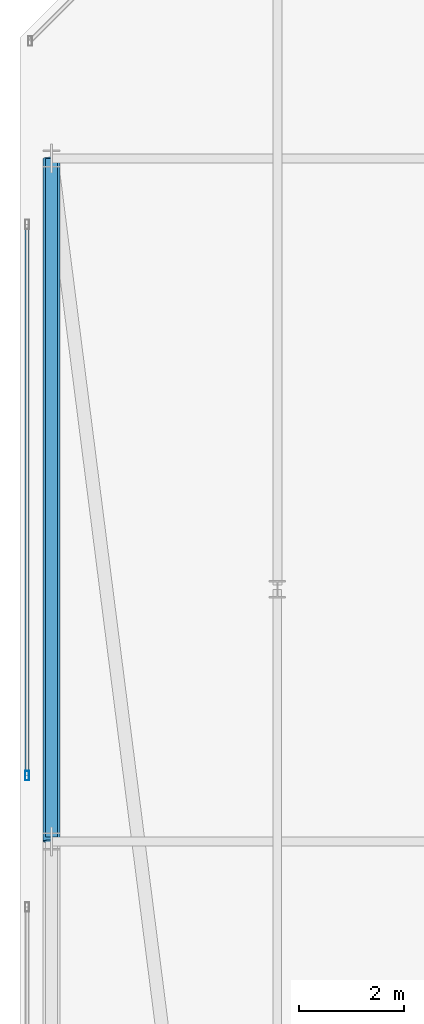
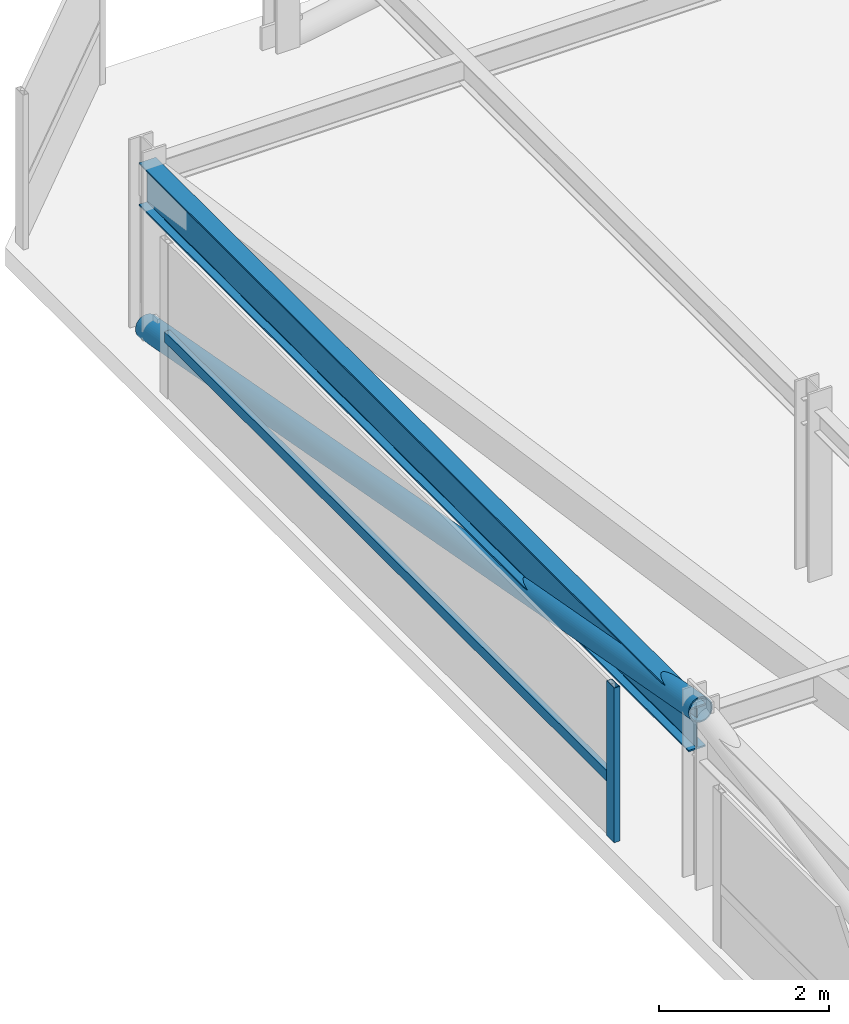
# One storey, part 14 of 42: 3 members, 1 beam, 1 element without a shape of its own.
"""IFC4 building model written with IfcOpenShell, lengths in metres."""

from ifc_helpers import new_model, si_unit, direction, frame, origin, origin_2d, place, context, subcontext, project, spatial, hollow_rectangle, hollow_circle, i_section, extrude, material, material_profile, profile_set, type_object, element, aggregate, save


model = new_model("IFC4")

# Units and contexts
model_context = context("Model", 3, precision=1e-05, world=origin(), true_north=direction((0.0, 1.0)))
body_context = subcontext(model_context, "Body", "Model", "MODEL_VIEW")
ifc_project = project(units=[si_unit("LENGTHUNIT", "METRE"), si_unit("AREAUNIT", "SQUARE_METRE"), si_unit("VOLUMEUNIT", "CUBIC_METRE"), si_unit("PLANEANGLEUNIT", "RADIAN"), si_unit("MASSUNIT", "GRAM", prefix="KILO")], contexts=[model_context])

# Site, building, storey
site_placement = place(None, origin())
site = spatial("IfcSite", under=ifc_project, at=site_placement, CompositionType="ELEMENT")
building_placement = place(site_placement, origin())
building = spatial("IfcBuilding", under=site, at=building_placement, Name="Thornwick Lancets Civic Towers", CompositionType="ELEMENT")
storey_placement = place(building_placement, frame((0.0, 0.0, 284.10009765625)))
storey = spatial("IfcBuildingStorey", under=building, at=storey_placement, Name="C02", CompositionType="ELEMENT", Elevation=284.10009765625)

# Beam
ifc_material_1 = material(Name="Steel S355JR", Category="steel")
ifc_material_profile_1 = material_profile(ifc_material_1, i_section(OverallWidth=0.230224609375, OverallDepth=0.6171875, WebThickness=0.01318359375, FlangeThickness=0.022216796875, FilletRadius=0.0126953125, at=origin_2d()), Name="UKB 610x229x140")
ifc_profile_set_1 = profile_set([ifc_material_profile_1], Name="Steel S355JR")
beam_type = type_object("IfcBeamType", Name="BM_GIRD_610_140", PredefinedType="BEAM", material=ifc_profile_set_1)
beam_placement = place(storey_placement, frame((8.199951171875, 27.080078125, 2.13134765625), z_axis=(0.0, 1.0, 0.0), x_axis=(-1.0, 0.0, 0.0)))
element("IfcBeam", 1, at=beam_placement, inside=storey, type_object=beam_type, Name="BM-SPINE-C02-A-10-11", PredefinedType="BEAM", context=body_context, shape_type="SweptSolid", body=[
    extrude(i_section(OverallWidth=0.230224609375, OverallDepth=0.6171875, WebThickness=0.01318359375, FlangeThickness=0.022216796875, FilletRadius=0.0126953125, at=origin_2d()), origin(), (0.0, 0.0, 1.0), 12.919921875),
])

# Curtain wall, members
ifc_material_2 = material(Name="Crown ring acoustic-louvre and glazing screen wall", Category="glass")
curtain_wall_type = type_object("IfcCurtainWallType", Name="CW_SYS_07", PredefinedType="NOTDEFINED", material=ifc_material_2)
curtain_wall_placement = place(storey_placement, origin())
curtain_wall = element("IfcCurtainWall", 2, at=curtain_wall_placement, inside=storey, type_object=curtain_wall_type, Name="C02 Curtain Wall CW-C02-A-E6-S1", PredefinedType="NOTDEFINED")
ifc_material_3 = material(Name="Thermally broken bronze aluminium S355", Category="steel")
ifc_material_profile_2 = material_profile(ifc_material_3, hollow_rectangle(XDim=0.074951171875, YDim=0.179931640625, WallThickness=0.006103515625, at=origin_2d()), Name="RHS 180x75x6")
ifc_profile_set_2 = profile_set([ifc_material_profile_2], Name="Thermally broken bronze aluminium S355")
member_type_1 = type_object("IfcMemberType", Name="CW_MUL_180", PredefinedType="MULLION", material=ifc_profile_set_2)
member_1_placement = place(storey_placement, frame((7.7353515625, 28.25, 0.0), z_axis=(0.0, 0.0, 1.0), x_axis=(1.0, 0.0, 0.0)))
member_1 = element("IfcMember", 3, at=member_1_placement, type_object=member_type_1, Name="CW-C02-A-E6-S1 Mullion 1", PredefinedType="MULLION", context=body_context, shape_type="SweptSolid", body=[
    extrude(hollow_rectangle(XDim=0.074951171875, YDim=0.179931640625, WallThickness=0.006103515625, at=origin_2d()), origin(), (0.0, 0.0, 1.0), 2.219970703125),
])
ifc_material_profile_3 = material_profile(ifc_material_3, hollow_rectangle(XDim=0.074951171875, YDim=0.14990234375, WallThickness=0.0048828125, at=origin_2d()), Name="RHS 150x75x5")
ifc_profile_set_3 = profile_set([ifc_material_profile_3], Name="Thermally broken bronze aluminium S355")
member_type_2 = type_object("IfcMemberType", Name="CW_TRN_150", PredefinedType="USERDEFINED", material=ifc_profile_set_3)
member_2_placement = place(storey_placement, frame((7.7353515625, 38.72998046875, 0.849853515625), z_axis=(0.0, -1.0, 0.0), x_axis=(1.0, 0.0, 0.0)))
member_2 = element("IfcMember", 4, at=member_2_placement, type_object=member_type_2, Name="CW-C02-A-E6-S1 Transom 0", ObjectType="TRANSOM", PredefinedType="USERDEFINED", context=body_context, shape_type="SweptSolid", body=[
    extrude(hollow_rectangle(XDim=0.074951171875, YDim=0.14990234375, WallThickness=0.0048828125, at=origin_2d()), origin(), (0.0, 0.0, 1.0), 10.4599609375),
])
aggregate(curtain_wall, [member_1, member_2])

# Member
ifc_material_profile_4 = material_profile(ifc_material_1, hollow_circle(Radius=0.161865234375, WallThickness=0.01611328125, at=origin_2d()), Name="CHS 323.9x16")
ifc_profile_set_4 = profile_set([ifc_material_profile_4], Name="Steel S355JR")
member_type_3 = type_object("IfcMemberType", Name="MEM_CROWN_CHS324", PredefinedType="BRACE", material=ifc_profile_set_4)
member_3_placement = place(storey_placement, frame((8.199951171875, 40.0, 0.0498046875), z_axis=(0.0, -0.983515136313, 0.180825818519), x_axis=(1.0, 0.0, 0.0)))
element("IfcMember", 5, at=member_3_placement, inside=storey, type_object=member_type_3, Name="C02 Crown Ring Lancet Rib A-S3-R", PredefinedType="BRACE", context=body_context, shape_type="SweptSolid", body=[
    extrude(hollow_circle(Radius=0.161865234375, WallThickness=0.01611328125, at=origin_2d()), origin(), (0.0, 0.0, 1.0), 13.2177734375),
])

save(model, "model.ifc")
